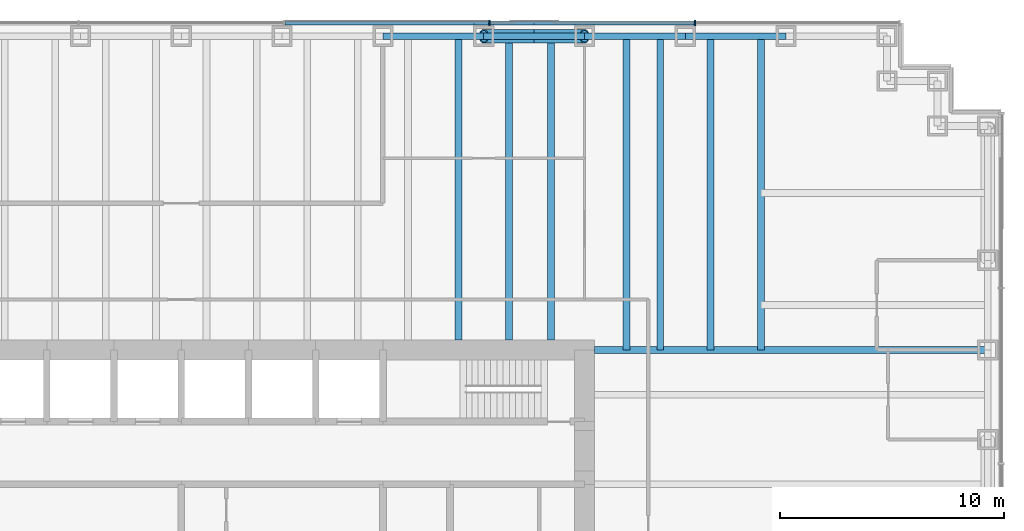
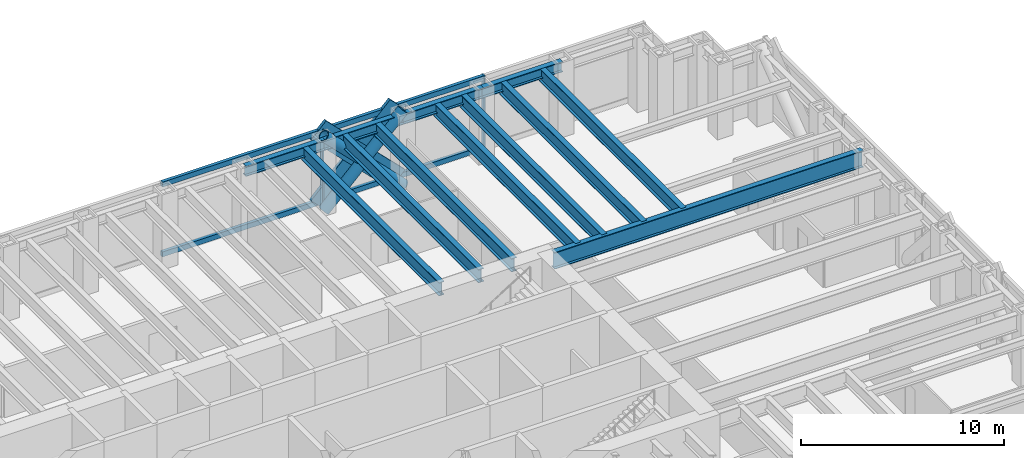
# One storey, part 6 of 13: 12 beams, 10 members, 1 element without a shape of its own.
"""IFC4 building model written with IfcOpenShell, lengths in metres."""

from ifc_helpers import new_model, si_unit, direction, frame, origin, origin_2d, place, context, subcontext, project, spatial, rectangle, hollow_circle, i_section, extrude, material, material_profile, profile_set, type_object, element, aggregate, save


model = new_model("IFC4")

# Units and contexts
model_context = context("Model", 3, precision=1e-05, world=origin(), true_north=direction((0.0, 1.0)))
body_context = subcontext(model_context, "Body", "Model", "MODEL_VIEW")
ifc_project = project(units=[si_unit("LENGTHUNIT", "METRE"), si_unit("AREAUNIT", "SQUARE_METRE"), si_unit("VOLUMEUNIT", "CUBIC_METRE"), si_unit("PLANEANGLEUNIT", "RADIAN"), si_unit("MASSUNIT", "GRAM", prefix="KILO")], contexts=[model_context])

# Site, building, storey
site_placement = place(None, origin())
site = spatial("IfcSite", under=ifc_project, at=site_placement, CompositionType="ELEMENT")
building_placement = place(site_placement, origin())
building = spatial("IfcBuilding", under=site, at=building_placement, Name="Rheinbord Bourse Tower", CompositionType="ELEMENT")
storey_placement = place(building_placement, frame((0.0, 0.0, 77.0)))
storey = spatial("IfcBuildingStorey", under=building, at=storey_placement, Name="L16", CompositionType="ELEMENT", Elevation=77.0)

# Curtain wall, members
ifc_material_1 = material(Name="Dark glass and black aluminium", Category="aluminium")
curtain_wall_type = type_object("IfcCurtainWallType", Name="CW1 DARK GLASS CURTAIN WALL", PredefinedType="USERDEFINED", material=ifc_material_1)
curtain_wall_placement = place(storey_placement, origin())
curtain_wall = element("IfcCurtainWall", 1, at=curtain_wall_placement, inside=storey, type_object=curtain_wall_type, Name="Curtain wall CW1 N L16", ObjectType="UNITISED CURTAIN WALL", PredefinedType="USERDEFINED")
ifc_material_2 = material(Name="Black anodised aluminium", Category="aluminium")
ifc_material_profile_1 = material_profile(ifc_material_2, rectangle(XDim=0.179931640625, YDim=1.2099609375, at=origin_2d()), Name="CW1 DIAGONAL MULLION 1210x180")
ifc_profile_set_1 = profile_set([ifc_material_profile_1], Name="Black anodised aluminium")
member_type_1 = type_object("IfcMemberType", Name="CW1 BLACK DIAGONAL MULLION", PredefinedType="USERDEFINED", material=ifc_profile_set_1)
member_1_placement = place(storey_placement, frame((54.0, 46.60009765625, 0.0), z_axis=(-0.707106781187, 0.0, 0.707106781187), x_axis=(0.0, -1.0, 0.0)))
member_1 = element("IfcMember", 2, at=member_1_placement, type_object=member_type_1, Name="CW1 diagonal mullion a", ObjectType="DIAGONAL MULLION", PredefinedType="USERDEFINED", context=body_context, shape_type="SweptSolid", body=[
    extrude(rectangle(XDim=0.179931640625, YDim=1.2099609375, at=origin_2d()), origin(), (0.0, 0.0, 1.0), 6.364013671875),
])
member_2_placement = place(storey_placement, frame((49.5, 46.60009765625, 0.0), z_axis=(0.707106781187, 0.0, 0.707106781187), x_axis=(0.0, 1.0, 0.0)))
member_2 = element("IfcMember", 3, at=member_2_placement, type_object=member_type_1, Name="CW1 diagonal mullion d", ObjectType="DIAGONAL MULLION", PredefinedType="USERDEFINED", context=body_context, shape_type="SweptSolid", body=[
    extrude(rectangle(XDim=0.179931640625, YDim=1.2099609375, at=origin_2d()), origin(), (0.0, 0.0, 1.0), 6.364013671875),
])
ifc_material_3 = material(Name="Black anodised aluminium", Category="aluminium")
ifc_material_profile_2 = material_profile(ifc_material_3, rectangle(XDim=0.25, YDim=0.080078125, at=origin_2d()), Name="CW1 MULLION 80x250")
ifc_profile_set_2 = profile_set([ifc_material_profile_2], Name="Black anodised aluminium")
member_type_2 = type_object("IfcMemberType", Name="CW1 BLACK MULLION", PredefinedType="MULLION", material=ifc_profile_set_2)
member_3_placement = place(storey_placement, frame((58.928466796875, 46.60009765625, 0.0), z_axis=(0.0, 0.0, 1.0), x_axis=(0.0, -1.0, 0.0)))
member_3 = element("IfcMember", 4, at=member_3_placement, type_object=member_type_2, Name="CW1 mullion 2", PredefinedType="MULLION", context=body_context, shape_type="SweptSolid", body=[
    extrude(rectangle(XDim=0.25, YDim=0.080078125, at=origin_2d()), origin(), (0.0, 0.0, 1.0), 4.5),
])
member_4_placement = place(storey_placement, frame((49.757080078125, 46.60009765625, 0.0), z_axis=(0.0, 0.0, 1.0), x_axis=(0.0, -1.0, 0.0)))
member_4 = element("IfcMember", 5, at=member_4_placement, type_object=member_type_2, Name="CW1 mullion 3", PredefinedType="MULLION", context=body_context, shape_type="SweptSolid", body=[
    extrude(rectangle(XDim=0.25, YDim=0.080078125, at=origin_2d()), origin(), (0.0, 0.0, 1.0), 4.5),
])
ifc_material_4 = material(Name="Black anodised aluminium", Category="aluminium")
ifc_material_profile_3 = material_profile(ifc_material_4, rectangle(XDim=0.179931640625, YDim=0.300048828125, at=origin_2d()), Name="CW1 TRANSOM 300x180")
ifc_profile_set_3 = profile_set([ifc_material_profile_3], Name="Black anodised aluminium")
member_type_3 = type_object("IfcMemberType", Name="CW1 BLACK TRANSOM", PredefinedType="USERDEFINED", material=ifc_profile_set_3)
member_5_placement = place(storey_placement, frame((58.888671875, 46.60009765625, 0.14990234375), z_axis=(-1.0, 0.0, 0.0), x_axis=(0.0, -1.0, 0.0)))
member_5 = element("IfcMember", 6, at=member_5_placement, type_object=member_type_3, Name="CW1 transom 2.1", ObjectType="TRANSOM", PredefinedType="USERDEFINED", context=body_context, shape_type="SweptSolid", body=[
    extrude(rectangle(XDim=0.179931640625, YDim=0.300048828125, at=origin_2d()), origin(), (0.0, 0.0, 1.0), 9.091552734375),
])
member_6_placement = place(storey_placement, frame((58.888671875, 46.60009765625, 4.35009765625), z_axis=(-1.0, 0.0, 0.0), x_axis=(0.0, -1.0, 0.0)))
member_6 = element("IfcMember", 7, at=member_6_placement, type_object=member_type_3, Name="CW1 transom 2.2", ObjectType="TRANSOM", PredefinedType="USERDEFINED", context=body_context, shape_type="SweptSolid", body=[
    extrude(rectangle(XDim=0.179931640625, YDim=0.300048828125, at=origin_2d()), origin(), (0.0, 0.0, 1.0), 9.091552734375),
])
member_7_placement = place(storey_placement, frame((49.717041015625, 46.60009765625, 0.14990234375), z_axis=(-1.0, 0.0, 0.0), x_axis=(0.0, -1.0, 0.0)))
member_7 = element("IfcMember", 8, at=member_7_placement, type_object=member_type_3, Name="CW1 transom 3.1", ObjectType="TRANSOM", PredefinedType="USERDEFINED", context=body_context, shape_type="SweptSolid", body=[
    extrude(rectangle(XDim=0.179931640625, YDim=0.300048828125, at=origin_2d()), origin(), (0.0, 0.0, 1.0), 9.09130859375),
])
member_8_placement = place(storey_placement, frame((49.717041015625, 46.60009765625, 4.35009765625), z_axis=(-1.0, 0.0, 0.0), x_axis=(0.0, -1.0, 0.0)))
member_8 = element("IfcMember", 9, at=member_8_placement, type_object=member_type_3, Name="CW1 transom 3.2", ObjectType="TRANSOM", PredefinedType="USERDEFINED", context=body_context, shape_type="SweptSolid", body=[
    extrude(rectangle(XDim=0.179931640625, YDim=0.300048828125, at=origin_2d()), origin(), (0.0, 0.0, 1.0), 9.09130859375),
])
aggregate(curtain_wall, [member_3, member_4, member_5, member_6, member_7, member_8, member_1, member_2])

# Beams
ifc_material_5 = material(Name="Steel S460", Category="steel")
ifc_material_profile_4 = material_profile(ifc_material_5, i_section(OverallWidth=0.300048828125, OverallDepth=0.800048828125, WebThickness=0.017578125, FlangeThickness=0.032958984375, at=origin_2d()), Name="HEB 800")
ifc_profile_set_4 = profile_set([ifc_material_profile_4], Name="Steel S460")
beam_type_1 = type_object("IfcBeamType", Name="FLOOR BEAM HEB 800", PredefinedType="BEAM", material=ifc_profile_set_4)
for number, where, z_axis, x_axis, name in (
    (10, (48.375, 46.0, 3.919921875), (0.0, -1.0, 0.0), (1.0, 0.0, 0.0), "Floor beam N-45b L17"),
    (11, (50.625, 46.0, 3.919921875), (0.0, -1.0, 0.0), (1.0, 0.0, 0.0), "Floor beam N-49.5a L17"),
    (12, (52.5, 46.0, 3.919921875), (0.0, -1.0, 0.0), (1.0, 0.0, 0.0), "Floor beam N-49.5b L17"),
):
    element("IfcBeam", number, at=place(storey_placement, frame(where, z_axis=z_axis, x_axis=x_axis)), inside=storey, type_object=beam_type_1, Name=name, PredefinedType="BEAM", context=body_context, shape_type="SweptSolid", body=[
        extrude(i_section(OverallWidth=0.300048828125, OverallDepth=0.800048828125, WebThickness=0.017578125, FlangeThickness=0.032958984375, at=origin_2d()), origin(), (0.0, 0.0, 1.0), 13.550048828125),
    ])
for number, where, z_axis, x_axis, name in (
    (13, (55.875, 46.0, 3.919921875), (0.0, -1.0, 0.0), (1.0, 0.0, 0.0), "Floor beam N-54a L17"),
    (14, (57.375, 46.0, 3.919921875), (0.0, -1.0, 0.0), (1.0, 0.0, 0.0), "Floor beam N-54b L17"),
    (15, (59.625, 46.0, 3.919921875), (0.0, -1.0, 0.0), (1.0, 0.0, 0.0), "Floor beam N-58.5a L17"),
    (16, (61.875, 46.0, 3.919921875), (0.0, -1.0, 0.0), (1.0, 0.0, 0.0), "Floor beam N-58.5b L17"),
):
    element("IfcBeam", number, at=place(storey_placement, frame(where, z_axis=z_axis, x_axis=x_axis)), inside=storey, type_object=beam_type_1, Name=name, PredefinedType="BEAM", context=body_context, shape_type="SweptSolid", body=[
        extrude(i_section(OverallWidth=0.300048828125, OverallDepth=0.800048828125, WebThickness=0.017578125, FlangeThickness=0.032958984375, at=origin_2d()), origin(), (0.0, 0.0, 1.0), 14.0),
    ])
ifc_material_6 = material(Name="Steel S460", Category="steel")
ifc_material_profile_5 = material_profile(ifc_material_6, i_section(OverallWidth=0.302001953125, OverallDepth=1.008056640625, WebThickness=0.02099609375, FlangeThickness=0.0400390625, at=origin_2d()), Name="HEM 1000")
ifc_profile_set_5 = profile_set([ifc_material_profile_5], Name="Steel S460")
beam_type_2 = type_object("IfcBeamType", Name="GIRDER HEM 1000", PredefinedType="BEAM", material=ifc_profile_set_5)
beam_placement = place(storey_placement, frame((54.449951171875, 32.0, 3.81591796875), z_axis=(1.0, 0.0, 0.0), x_axis=(0.0, 1.0, 0.0)))
element("IfcBeam", 17, at=beam_placement, inside=storey, type_object=beam_type_2, Name="Girder east 32 L17", PredefinedType="BEAM", context=body_context, shape_type="SweptSolid", body=[
    extrude(i_section(OverallWidth=0.302001953125, OverallDepth=1.008056640625, WebThickness=0.02099609375, FlangeThickness=0.0400390625, at=origin_2d()), origin(), (0.0, 0.0, 1.0), 17.550048828125),
])

# Members
ifc_material_7 = material(Name="Steel S460", Category="steel")
ifc_material_profile_6 = material_profile(ifc_material_7, hollow_circle(Radius=0.304931640625, WallThickness=0.050048828125, at=origin_2d()), Name="CHS 610x50")
ifc_profile_set_6 = profile_set([ifc_material_profile_6], Name="Steel S460")
member_type_4 = type_object("IfcMemberType", Name="MEGABRACE CHS 610x50", PredefinedType="BRACE", material=ifc_profile_set_6)
for number, where, z_axis, x_axis, name in (
    (18, (54.0, 46.0, 0.0), (-0.707106781187, 0.0, 0.707106781187), (0.0, -1.0, 0.0), "Megabrace N face line a L16"),
    (19, (49.5, 46.0, 0.0), (0.707106781187, 0.0, 0.707106781187), (0.0, 1.0, 0.0), "Megabrace N face line d L16"),
):
    element("IfcMember", number, at=place(storey_placement, frame(where, z_axis=z_axis, x_axis=x_axis)), inside=storey, type_object=member_type_4, Name=name, PredefinedType="BRACE", context=body_context, shape_type="SweptSolid", body=[
        extrude(hollow_circle(Radius=0.304931640625, WallThickness=0.050048828125, at=origin_2d()), origin(), (0.0, 0.0, 1.0), 6.364013671875),
    ])

# Beams
ifc_material_8 = material(Name="Steel S460", Category="steel")
ifc_material_profile_7 = material_profile(ifc_material_8, i_section(OverallWidth=0.304931640625, OverallDepth=0.6201171875, WebThickness=0.02099609375, FlangeThickness=0.0400390625, at=origin_2d()), Name="HEM 600")
ifc_profile_set_7 = profile_set([ifc_material_profile_7], Name="Steel S460")
beam_type_3 = type_object("IfcBeamType", Name="SPANDREL HEM 600", PredefinedType="SPANDREL", material=ifc_profile_set_7)
for number, where, z_axis, x_axis, name in (
    (20, (63.0, 46.0, 4.010009765625), (-1.0, 0.0, 0.0), (0.0, -1.0, 0.0), "Spandrel N-63-N-58.5 under L17"),
    (21, (58.5, 46.0, 4.010009765625), (-1.0, 0.0, 0.0), (0.0, -1.0, 0.0), "Spandrel N-58.5-N-54 under L17"),
    (22, (54.0, 46.0, 4.010009765625), (-1.0, 0.0, 0.0), (0.0, -1.0, 0.0), "Spandrel N-54-N-49.5 under L17"),
    (23, (49.5, 46.0, 4.010009765625), (-1.0, 0.0, 0.0), (0.0, -1.0, 0.0), "Spandrel N-49.5-N-45 under L17"),
):
    element("IfcBeam", number, at=place(storey_placement, frame(where, z_axis=z_axis, x_axis=x_axis)), inside=storey, type_object=beam_type_3, Name=name, PredefinedType="SPANDREL", context=body_context, shape_type="SweptSolid", body=[
        extrude(i_section(OverallWidth=0.304931640625, OverallDepth=0.6201171875, WebThickness=0.02099609375, FlangeThickness=0.0400390625, at=origin_2d()), origin(), (0.0, 0.0, 1.0), 4.5),
    ])

save(model, "model.ifc")
